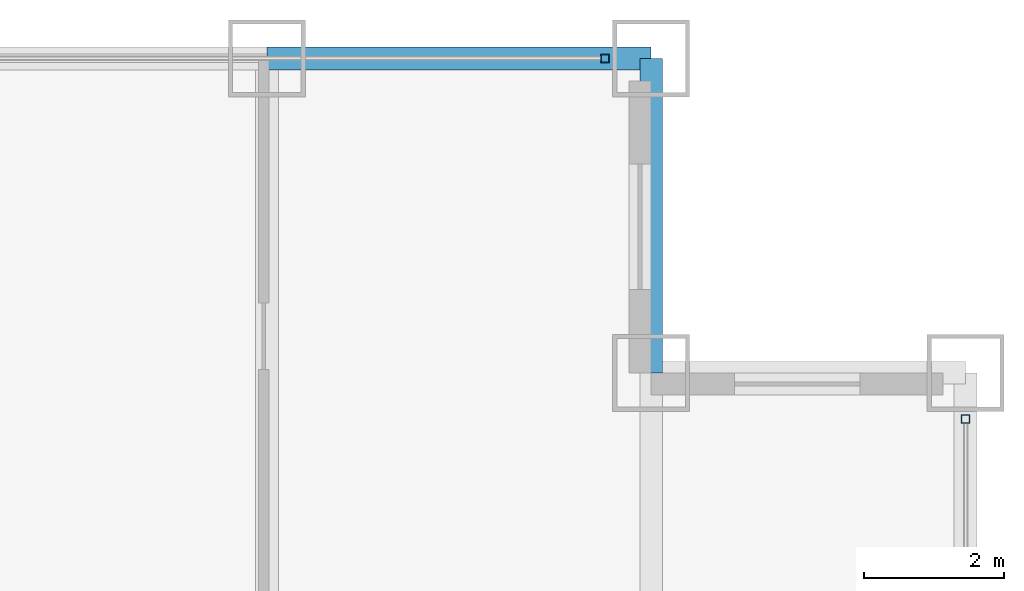
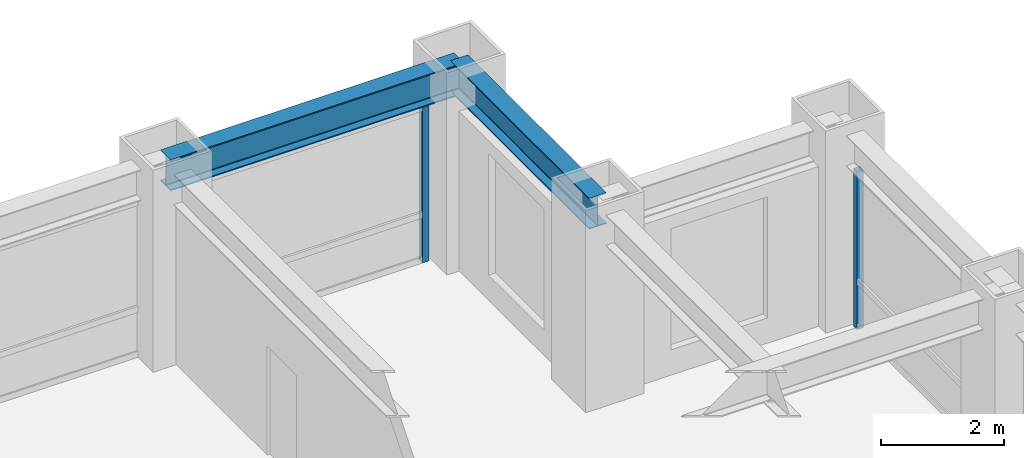
# One storey, part 18 of 24: 2 beams, 2 members, 2 elements without a shape of their own.
"""IFC4 building model written with IfcOpenShell, lengths in metres."""

from ifc_helpers import new_model, si_unit, direction, frame, origin, origin_2d, place, context, subcontext, project, spatial, hollow_rectangle, i_section, extrude, source, transform, mapped, material, material_profile, profile_set, type_object, element, aggregate, save


model = new_model("IFC4")

# Units and contexts
model_context = context("Model", 3, precision=1e-05, world=origin(), true_north=direction((0.0, 1.0)))
body_context = subcontext(model_context, "Body", "Model", "MODEL_VIEW")
ifc_project = project(units=[si_unit("LENGTHUNIT", "METRE"), si_unit("AREAUNIT", "SQUARE_METRE"), si_unit("VOLUMEUNIT", "CUBIC_METRE"), si_unit("PLANEANGLEUNIT", "RADIAN"), si_unit("MASSUNIT", "GRAM", prefix="KILO")], contexts=[model_context])

# Site, building, storey
site_placement = place(None, origin())
site = spatial("IfcSite", under=ifc_project, at=site_placement, CompositionType="ELEMENT")
building_placement = place(site_placement, origin())
building = spatial("IfcBuilding", under=site, at=building_placement, Name="Khorayat Bourse Tower", CompositionType="ELEMENT")
storey_placement = place(building_placement, frame((0.0, 0.0, 163.10009765625)))
storey = spatial("IfcBuildingStorey", under=building, at=storey_placement, Name="L37", CompositionType="ELEMENT", Elevation=163.10009765625)

# Beams
ifc_material_1 = material(Name="Steel ASTM A992 Grade 50", Category="steel")
ifc_material_profile_1 = material_profile(ifc_material_1, i_section(OverallWidth=0.324951171875, OverallDepth=0.615966796875, WebThickness=0.013916015625, FlangeThickness=0.021484375, FilletRadius=0.01611328125, at=origin_2d()), Name="W610X174")
ifc_profile_set_1 = profile_set([ifc_material_profile_1], Name="Steel ASTM A992 Grade 50")
beam_type = type_object("IfcBeamType", Name="BM-SPAN-610", PredefinedType="SPANDREL", material=ifc_profile_set_1)
shared_shape_1 = source(origin(), body_context, "Body", "SweptSolid", [
    extrude(i_section(OverallWidth=0.324951171875, OverallDepth=0.615966796875, WebThickness=0.013916015625, FlangeThickness=0.021484375, FilletRadius=0.01611328125, at=origin_2d()), origin(), (0.0, 0.0, 1.0), 5.5),
])
beam_1_placement = place(storey_placement, frame((20.0, 30.0, 3.471923828125), z_axis=(1.0, 0.0, 0.0), x_axis=(0.0, 1.0, 0.0)))
element("IfcBeam", 1, at=beam_1_placement, inside=storey, type_object=beam_type, Name="L37 BM-SPAN-610 BM-L37-SPN-044", PredefinedType="SPANDREL", context=body_context, shape_type="MappedRepresentation", body=[
    mapped(shared_shape_1, transform((0.0, 0.0, 0.0), scale=1.0)),
])
shared_shape_2 = source(origin(), body_context, "Body", "SweptSolid", [
    extrude(i_section(OverallWidth=0.324951171875, OverallDepth=0.615966796875, WebThickness=0.013916015625, FlangeThickness=0.021484375, FilletRadius=0.01611328125, at=origin_2d()), origin(), (0.0, 0.0, 1.0), 4.5),
])
beam_2_placement = place(storey_placement, frame((25.5, 25.5, 3.471923828125), z_axis=(0.0, 1.0, 0.0), x_axis=(-1.0, 0.0, 0.0)))
element("IfcBeam", 2, at=beam_2_placement, inside=storey, type_object=beam_type, Name="L37 BM-SPAN-610 BM-L37-SPN-043", PredefinedType="SPANDREL", context=body_context, shape_type="MappedRepresentation", body=[
    mapped(shared_shape_2, transform((0.0, 0.0, 0.0), scale=1.0)),
])

# Curtain wall, member
ifc_material_2 = material(Name="Aluminium EN AW-6063 T6", Category="aluminium")
curtain_wall_type = type_object("IfcCurtainWallType", Name="CW-SYS-03", PredefinedType="NOTDEFINED", material=ifc_material_2)
curtain_wall_1_placement = place(storey_placement, origin())
curtain_wall_1 = element("IfcCurtainWall", 3, at=curtain_wall_1_placement, inside=storey, type_object=curtain_wall_type, Name="L37 Curtain Wall CW-L37-N1", PredefinedType="NOTDEFINED")
ifc_material_profile_2 = material_profile(ifc_material_2, hollow_rectangle(XDim=0.1201171875, YDim=0.1201171875, WallThickness=0.0048828125, at=origin_2d()), Name="ALU 120x120x5")
ifc_profile_set_2 = profile_set([ifc_material_profile_2], Name="Aluminium EN AW-6063 T6")
member_type = type_object("IfcMemberType", Name="CWM-VERT-120", PredefinedType="MULLION", material=ifc_profile_set_2)
shared_shape_3 = source(origin(), body_context, "Body", "SweptSolid", [
    extrude(hollow_rectangle(XDim=0.1201171875, YDim=0.1201171875, WallThickness=0.0048828125, at=origin_2d()), origin(), (0.0, 0.0, 1.0), 3.1298828125),
])
member_1_placement = place(storey_placement, frame((24.840087890625, 30.0, 0.0), z_axis=(0.0, 0.0, 1.0), x_axis=(0.0, 1.0, 0.0)))
member_1 = element("IfcMember", 4, at=member_1_placement, type_object=member_type, Name="CW-L37-N1 Vertical Mullion 3", PredefinedType="MULLION", context=body_context, shape_type="MappedRepresentation", body=[
    mapped(shared_shape_3, transform((0.0, 0.0, 0.0), scale=1.0)),
])
aggregate(curtain_wall_1, [member_1])

curtain_wall_2_placement = place(storey_placement, origin())
curtain_wall_2 = element("IfcCurtainWall", 5, at=curtain_wall_2_placement, inside=storey, type_object=curtain_wall_type, Name="L37 Curtain Wall CW-L37-E1", PredefinedType="NOTDEFINED")
member_2_placement = place(storey_placement, frame((30.0, 24.840087890625, 0.0), z_axis=(0.0, 0.0, 1.0), x_axis=(-1.0, 0.0, 0.0)))
member_2 = element("IfcMember", 6, at=member_2_placement, type_object=member_type, Name="CW-L37-E1 Vertical Mullion 3", PredefinedType="MULLION", context=body_context, shape_type="MappedRepresentation", body=[
    mapped(shared_shape_3, transform((0.0, 0.0, 0.0), scale=1.0)),
])
aggregate(curtain_wall_2, [member_2])

save(model, "model.ifc")
